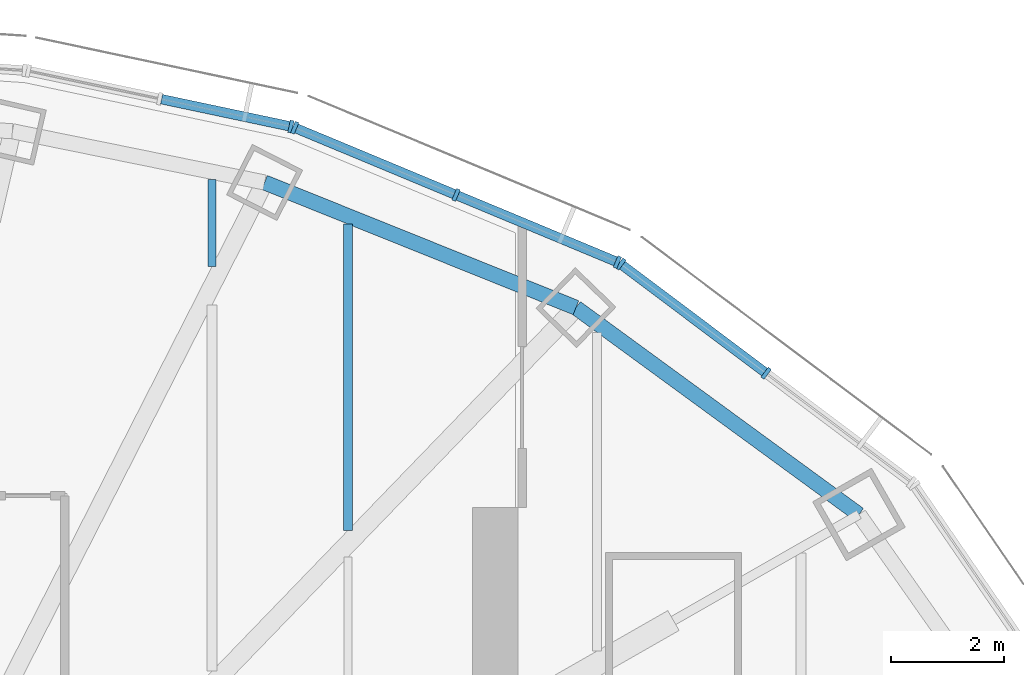
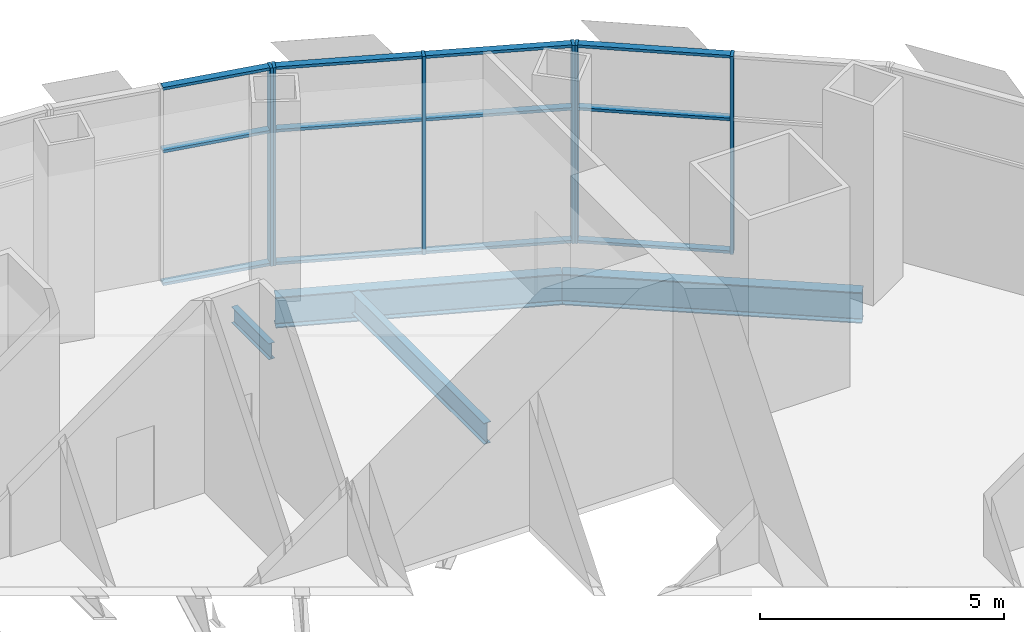
# One storey, part 8 of 17: 18 members, 4 beams, 3 elements without a shape of their own.
"""IFC4 building model written with IfcOpenShell, lengths in metres."""

from ifc_helpers import new_model, si_unit, direction, frame, origin, origin_2d, place, context, subcontext, project, spatial, rectangle, i_section, extrude, material, material_profile, profile_set, type_object, element, aggregate, save


model = new_model("IFC4")

# Units and contexts
model_context = context("Model", 3, precision=1e-05, world=origin(), true_north=direction((0.0, 1.0)))
body_context = subcontext(model_context, "Body", "Model", "MODEL_VIEW")
ifc_project = project(units=[si_unit("LENGTHUNIT", "METRE"), si_unit("AREAUNIT", "SQUARE_METRE"), si_unit("VOLUMEUNIT", "CUBIC_METRE"), si_unit("PLANEANGLEUNIT", "RADIAN"), si_unit("MASSUNIT", "GRAM", prefix="KILO")], contexts=[model_context])

# Site, building, storey
site_placement = place(None, origin())
site = spatial("IfcSite", under=ifc_project, at=site_placement, CompositionType="ELEMENT")
building_placement = place(site_placement, origin())
building = spatial("IfcBuilding", under=site, at=building_placement, Name="Lantaw Convention Tower", CompositionType="ELEMENT")
storey_placement = place(building_placement, frame((0.0, 0.0, 279.39990234375)))
storey = spatial("IfcBuildingStorey", under=building, at=storey_placement, Name="L65", CompositionType="ELEMENT", Elevation=279.39990234375)

# Beams
ifc_material_1 = material(Name="Steel ASTM A992", Category="steel")
ifc_material_profile_1 = material_profile(ifc_material_1, i_section(OverallWidth=0.2666015625, OverallDepth=0.76953125, WebThickness=0.015625, FlangeThickness=0.025390625, FilletRadius=0.0126953125, at=origin_2d()), Name="W30X132")
ifc_profile_set_1 = profile_set([ifc_material_profile_1], Name="Steel ASTM A992")
beam_type_1 = type_object("IfcBeamType", Name="Beam E W30X132", PredefinedType="SPANDREL", material=ifc_profile_set_1)
beam_1_placement = place(storey_placement, frame((19.02685546875, 10.87255859375, -0.53466796875), z_axis=(-0.807371616826, 0.59004328006, 0.0), x_axis=(-0.59004328006, -0.807371616826, 0.0)))
element("IfcBeam", 1, at=beam_1_placement, inside=storey, type_object=beam_type_1, Name="Edge beam 3", PredefinedType="SPANDREL", context=body_context, shape_type="SweptSolid", body=[
    extrude(i_section(OverallWidth=0.2666015625, OverallDepth=0.76953125, WebThickness=0.015625, FlangeThickness=0.025390625, FilletRadius=0.0126953125, at=origin_2d()), origin(), (0.0, 0.0, 1.0), 6.192138671875),
])
beam_2_placement = place(storey_placement, frame((14.027587890625, 14.526123046875, -0.53466796875), z_axis=(-0.927779110974, 0.373129898615, 0.0), x_axis=(-0.373129898615, -0.927779110974, 0.0)))
element("IfcBeam", 2, at=beam_2_placement, inside=storey, type_object=beam_type_1, Name="Edge beam 4", PredefinedType="SPANDREL", context=body_context, shape_type="SweptSolid", body=[
    extrude(i_section(OverallWidth=0.2666015625, OverallDepth=0.76953125, WebThickness=0.015625, FlangeThickness=0.025390625, FilletRadius=0.0126953125, at=origin_2d()), origin(), (0.0, 0.0, 1.0), 5.92724609375),
])
ifc_material_profile_2 = material_profile(ifc_material_1, i_section(OverallWidth=0.140380859375, OverallDepth=0.40380859375, WebThickness=0.007080078125, FlangeThickness=0.01123046875, FilletRadius=0.01025390625, at=origin_2d()), Name="W16X31")
ifc_profile_set_2 = profile_set([ifc_material_profile_2], Name="Steel ASTM A992")
beam_type_2 = type_object("IfcBeamType", Name="Beam J W16X31", PredefinedType="JOIST", material=ifc_profile_set_2)
beam_3_placement = place(storey_placement, frame((7.60009765625, 15.25439453125, -0.351806640625), z_axis=(0.0, 1.0, 0.0), x_axis=(-1.0, 0.0, 0.0)))
element("IfcBeam", 3, at=beam_3_placement, inside=storey, type_object=beam_type_2, Name="Floor joist", PredefinedType="JOIST", context=body_context, shape_type="SweptSolid", body=[
    extrude(i_section(OverallWidth=0.140380859375, OverallDepth=0.40380859375, WebThickness=0.007080078125, FlangeThickness=0.01123046875, FilletRadius=0.01025390625, at=origin_2d()), origin(), (0.0, 0.0, 1.0), 1.535888671875),
])
ifc_material_profile_3 = material_profile(ifc_material_1, i_section(OverallWidth=0.1650390625, OverallDepth=0.52587890625, WebThickness=0.0087890625, FlangeThickness=0.011474609375, FilletRadius=0.0126953125, at=origin_2d()), Name="W21X44")
ifc_profile_set_3 = profile_set([ifc_material_profile_3], Name="Steel ASTM A992")
beam_type_3 = type_object("IfcBeamType", Name="Beam J W21X44", PredefinedType="JOIST", material=ifc_profile_set_3)
beam_4_placement = place(storey_placement, frame((10.0, 10.591064453125, -0.412841796875), z_axis=(0.0, 1.0, 0.0), x_axis=(-1.0, 0.0, 0.0)))
element("IfcBeam", 4, at=beam_4_placement, inside=storey, type_object=beam_type_3, Name="Floor joist", PredefinedType="JOIST", context=body_context, shape_type="SweptSolid", body=[
    extrude(i_section(OverallWidth=0.1650390625, OverallDepth=0.52587890625, WebThickness=0.0087890625, FlangeThickness=0.011474609375, FilletRadius=0.0126953125, at=origin_2d()), origin(), (0.0, 0.0, 1.0), 5.4111328125),
])

# Curtain wall, members
ifc_material_2 = material(Name="Aluminium framed curtain wall", Category="aluminium")
curtain_wall_type = type_object("IfcCurtainWallType", Name="Executive floors curtain wall, pale aluminium", PredefinedType="USERDEFINED", material=ifc_material_2)
curtain_wall_1_placement = place(storey_placement, origin())
curtain_wall_1 = element("IfcCurtainWall", 5, at=curtain_wall_1_placement, inside=storey, type_object=curtain_wall_type, Name="Executive floors curtain wall, pale aluminium L65", ObjectType="UNITISED CURTAIN WALL", PredefinedType="USERDEFINED")
ifc_material_3 = material(Name="Aluminium 6063-T6", Category="aluminium")
ifc_material_profile_4 = material_profile(ifc_material_3, rectangle(XDim=0.219970703125, YDim=0.070068359375, at=origin_2d()), Name="CW-T mullion 70x220")
ifc_profile_set_4 = profile_set([ifc_material_profile_4], Name="Aluminium 6063-T6")
member_type_1 = type_object("IfcMemberType", Name="CW-T mullion 70x220", PredefinedType="MULLION", material=ifc_profile_set_4)
member_1_placement = place(storey_placement, frame((17.386962890625, 13.367919921875, -0.14990234375), z_axis=(0.0, 0.0, 1.0), x_axis=(-0.600642756762, -0.799517528732, 0.0)))
member_1 = element("IfcMember", 6, at=member_1_placement, type_object=member_type_1, Name="CW-T mullion 2", PredefinedType="MULLION", context=body_context, shape_type="SweptSolid", body=[
    extrude(rectangle(XDim=0.219970703125, YDim=0.070068359375, at=origin_2d()), origin(), (0.0, 0.0, 1.0), 4.949951171875),
])
member_2_placement = place(storey_placement, frame((14.81982421875, 15.29638671875, -0.14990234375), z_axis=(0.0, 0.0, 1.0), x_axis=(-0.600642756762, -0.799517528732, 0.0)))
member_2 = element("IfcMember", 7, at=member_2_placement, type_object=member_type_1, Name="CW-T mullion 3", PredefinedType="MULLION", context=body_context, shape_type="SweptSolid", body=[
    extrude(rectangle(XDim=0.219970703125, YDim=0.070068359375, at=origin_2d()), origin(), (0.0, 0.0, 1.0), 4.949951171875),
])

curtain_wall_2_placement = place(storey_placement, origin())
curtain_wall_2 = element("IfcCurtainWall", 8, at=curtain_wall_2_placement, inside=storey, type_object=curtain_wall_type, Name="Executive floors curtain wall, pale aluminium L65", ObjectType="UNITISED CURTAIN WALL", PredefinedType="USERDEFINED")
member_3_placement = place(storey_placement, frame((14.759521484375, 15.330810546875, -0.14990234375), z_axis=(0.0, 0.0, 1.0), x_axis=(-0.384459697924, -0.923141777124, 0.0)))
member_3 = element("IfcMember", 9, at=member_3_placement, type_object=member_type_1, Name="CW-T mullion 1", PredefinedType="MULLION", context=body_context, shape_type="SweptSolid", body=[
    extrude(rectangle(XDim=0.219970703125, YDim=0.070068359375, at=origin_2d()), origin(), (0.0, 0.0, 1.0), 4.949951171875),
])
member_4_placement = place(storey_placement, frame((11.90966796875, 16.517578125, -0.14990234375), z_axis=(0.0, 0.0, 1.0), x_axis=(-0.384459697924, -0.923141777124, 0.0)))
member_4 = element("IfcMember", 10, at=member_4_placement, type_object=member_type_1, Name="CW-T mullion 2", PredefinedType="MULLION", context=body_context, shape_type="SweptSolid", body=[
    extrude(rectangle(XDim=0.219970703125, YDim=0.070068359375, at=origin_2d()), origin(), (0.0, 0.0, 1.0), 4.949951171875),
])
member_5_placement = place(storey_placement, frame((9.06005859375, 17.70458984375, -0.14990234375), z_axis=(0.0, 0.0, 1.0), x_axis=(-0.384459697924, -0.923141777124, 0.0)))
member_5 = element("IfcMember", 11, at=member_5_placement, type_object=member_type_1, Name="CW-T mullion 3", PredefinedType="MULLION", context=body_context, shape_type="SweptSolid", body=[
    extrude(rectangle(XDim=0.219970703125, YDim=0.070068359375, at=origin_2d()), origin(), (0.0, 0.0, 1.0), 4.949951171875),
])

# Curtain wall, member
curtain_wall_3_placement = place(storey_placement, origin())
curtain_wall_3 = element("IfcCurtainWall", 12, at=curtain_wall_3_placement, inside=storey, type_object=curtain_wall_type, Name="Executive floors curtain wall, pale aluminium L65", ObjectType="UNITISED CURTAIN WALL", PredefinedType="USERDEFINED")
member_6_placement = place(storey_placement, frame((8.993408203125, 17.72509765625, -0.14990234375), z_axis=(0.0, 0.0, 1.0), x_axis=(-0.207039911975, -0.978332497083, 0.0)))
member_6 = element("IfcMember", 13, at=member_6_placement, type_object=member_type_1, Name="CW-T mullion 1", PredefinedType="MULLION", context=body_context, shape_type="SweptSolid", body=[
    extrude(rectangle(XDim=0.219970703125, YDim=0.070068359375, at=origin_2d()), origin(), (0.0, 0.0, 1.0), 4.949951171875),
])

# Member
ifc_material_profile_5 = material_profile(ifc_material_3, rectangle(XDim=0.169921875, YDim=0.070068359375, at=origin_2d()), Name="CW-T transom 70x170")
ifc_profile_set_5 = profile_set([ifc_material_profile_5], Name="Aluminium 6063-T6")
member_type_2 = type_object("IfcMemberType", Name="CW-T transom 70x170", PredefinedType="USERDEFINED", material=ifc_profile_set_5)
member_7_placement = place(storey_placement, frame((17.35888671875, 13.388916015625, -0.114990234375), z_axis=(-0.799505333284, 0.600658989819, 0.0), x_axis=(-0.600658989819, -0.799505333284, 0.0)))
member_7 = element("IfcMember", 14, at=member_7_placement, type_object=member_type_2, Name="CW-T transom 2.1", ObjectType="TRANSOM", PredefinedType="USERDEFINED", context=body_context, shape_type="SweptSolid", body=[
    extrude(rectangle(XDim=0.169921875, YDim=0.070068359375, at=origin_2d()), origin(), (0.0, 0.0, 1.0), 3.140625),
])

member_8_placement = place(storey_placement, frame((17.35888671875, 13.388916015625, 3.2001953125), z_axis=(-0.799505333284, 0.600658989819, 0.0), x_axis=(-0.600658989819, -0.799505333284, 0.0)))
member_8 = element("IfcMember", 15, at=member_8_placement, type_object=member_type_2, Name="CW-T transom 2.2", ObjectType="TRANSOM", PredefinedType="USERDEFINED", context=body_context, shape_type="SweptSolid", body=[
    extrude(rectangle(XDim=0.169921875, YDim=0.070068359375, at=origin_2d()), origin(), (0.0, 0.0, 1.0), 3.140625),
])

member_9_placement = place(storey_placement, frame((17.35888671875, 13.388916015625, 4.76513671875), z_axis=(-0.799505333284, 0.600658989819, 0.0), x_axis=(-0.600658989819, -0.799505333284, 0.0)))
member_9 = element("IfcMember", 16, at=member_9_placement, type_object=member_type_2, Name="CW-T transom 2.3", ObjectType="TRANSOM", PredefinedType="USERDEFINED", context=body_context, shape_type="SweptSolid", body=[
    extrude(rectangle(XDim=0.169921875, YDim=0.070068359375, at=origin_2d()), origin(), (0.0, 0.0, 1.0), 3.140625),
])

aggregate(curtain_wall_1, [member_1, member_2, member_7, member_8, member_9])

member_10_placement = place(storey_placement, frame((14.727294921875, 15.34423828125, -0.114990234375), z_axis=(-0.923143943999, 0.384454494911, 0.0), x_axis=(-0.384454494911, -0.923143943999, 0.0)))
member_10 = element("IfcMember", 17, at=member_10_placement, type_object=member_type_2, Name="CW-T transom 1.1", ObjectType="TRANSOM", PredefinedType="USERDEFINED", context=body_context, shape_type="SweptSolid", body=[
    extrude(rectangle(XDim=0.169921875, YDim=0.070068359375, at=origin_2d()), origin(), (0.0, 0.0, 1.0), 3.01708984375),
])

member_11_placement = place(storey_placement, frame((14.727294921875, 15.34423828125, 3.2001953125), z_axis=(-0.923143943999, 0.384454494911, 0.0), x_axis=(-0.384454494911, -0.923143943999, 0.0)))
member_11 = element("IfcMember", 18, at=member_11_placement, type_object=member_type_2, Name="CW-T transom 1.2", ObjectType="TRANSOM", PredefinedType="USERDEFINED", context=body_context, shape_type="SweptSolid", body=[
    extrude(rectangle(XDim=0.169921875, YDim=0.070068359375, at=origin_2d()), origin(), (0.0, 0.0, 1.0), 3.01708984375),
])

member_12_placement = place(storey_placement, frame((14.727294921875, 15.34423828125, 4.76513671875), z_axis=(-0.923143943999, 0.384454494911, 0.0), x_axis=(-0.384454494911, -0.923143943999, 0.0)))
member_12 = element("IfcMember", 19, at=member_12_placement, type_object=member_type_2, Name="CW-T transom 1.3", ObjectType="TRANSOM", PredefinedType="USERDEFINED", context=body_context, shape_type="SweptSolid", body=[
    extrude(rectangle(XDim=0.169921875, YDim=0.070068359375, at=origin_2d()), origin(), (0.0, 0.0, 1.0), 3.01708984375),
])

member_13_placement = place(storey_placement, frame((11.87744140625, 16.531005859375, -0.114990234375), z_axis=(-0.923143943999, 0.384454494911, 0.0), x_axis=(-0.384454494911, -0.923143943999, 0.0)))
member_13 = element("IfcMember", 20, at=member_13_placement, type_object=member_type_2, Name="CW-T transom 2.1", ObjectType="TRANSOM", PredefinedType="USERDEFINED", context=body_context, shape_type="SweptSolid", body=[
    extrude(rectangle(XDim=0.169921875, YDim=0.070068359375, at=origin_2d()), origin(), (0.0, 0.0, 1.0), 3.01708984375),
])

member_14_placement = place(storey_placement, frame((11.87744140625, 16.531005859375, 3.2001953125), z_axis=(-0.923143943999, 0.384454494911, 0.0), x_axis=(-0.384454494911, -0.923143943999, 0.0)))
member_14 = element("IfcMember", 21, at=member_14_placement, type_object=member_type_2, Name="CW-T transom 2.2", ObjectType="TRANSOM", PredefinedType="USERDEFINED", context=body_context, shape_type="SweptSolid", body=[
    extrude(rectangle(XDim=0.169921875, YDim=0.070068359375, at=origin_2d()), origin(), (0.0, 0.0, 1.0), 3.01708984375),
])

member_15_placement = place(storey_placement, frame((11.87744140625, 16.531005859375, 4.76513671875), z_axis=(-0.923143943999, 0.384454494911, 0.0), x_axis=(-0.384454494911, -0.923143943999, 0.0)))
member_15 = element("IfcMember", 22, at=member_15_placement, type_object=member_type_2, Name="CW-T transom 2.3", ObjectType="TRANSOM", PredefinedType="USERDEFINED", context=body_context, shape_type="SweptSolid", body=[
    extrude(rectangle(XDim=0.169921875, YDim=0.070068359375, at=origin_2d()), origin(), (0.0, 0.0, 1.0), 3.01708984375),
])

aggregate(curtain_wall_2, [member_3, member_4, member_5, member_10, member_11, member_12, member_13, member_14, member_15])

member_16_placement = place(storey_placement, frame((8.959228515625, 17.732421875, -0.114990234375), z_axis=(-0.978336479598, 0.207021092375, 0.0), x_axis=(-0.207021092375, -0.978336479598, 0.0)))
member_16 = element("IfcMember", 23, at=member_16_placement, type_object=member_type_2, Name="CW-T transom 1.1", ObjectType="TRANSOM", PredefinedType="USERDEFINED", context=body_context, shape_type="SweptSolid", body=[
    extrude(rectangle(XDim=0.169921875, YDim=0.070068359375, at=origin_2d()), origin(), (0.0, 0.0, 1.0), 2.30078125),
])

member_17_placement = place(storey_placement, frame((8.959228515625, 17.732421875, 3.2001953125), z_axis=(-0.978336479598, 0.207021092375, 0.0), x_axis=(-0.207021092375, -0.978336479598, 0.0)))
member_17 = element("IfcMember", 24, at=member_17_placement, type_object=member_type_2, Name="CW-T transom 1.2", ObjectType="TRANSOM", PredefinedType="USERDEFINED", context=body_context, shape_type="SweptSolid", body=[
    extrude(rectangle(XDim=0.169921875, YDim=0.070068359375, at=origin_2d()), origin(), (0.0, 0.0, 1.0), 2.30078125),
])

member_18_placement = place(storey_placement, frame((8.959228515625, 17.732421875, 4.76513671875), z_axis=(-0.978336479598, 0.207021092375, 0.0), x_axis=(-0.207021092375, -0.978336479598, 0.0)))
member_18 = element("IfcMember", 25, at=member_18_placement, type_object=member_type_2, Name="CW-T transom 1.3", ObjectType="TRANSOM", PredefinedType="USERDEFINED", context=body_context, shape_type="SweptSolid", body=[
    extrude(rectangle(XDim=0.169921875, YDim=0.070068359375, at=origin_2d()), origin(), (0.0, 0.0, 1.0), 2.30078125),
])

aggregate(curtain_wall_3, [member_6, member_16, member_17, member_18])

save(model, "model.ifc")
